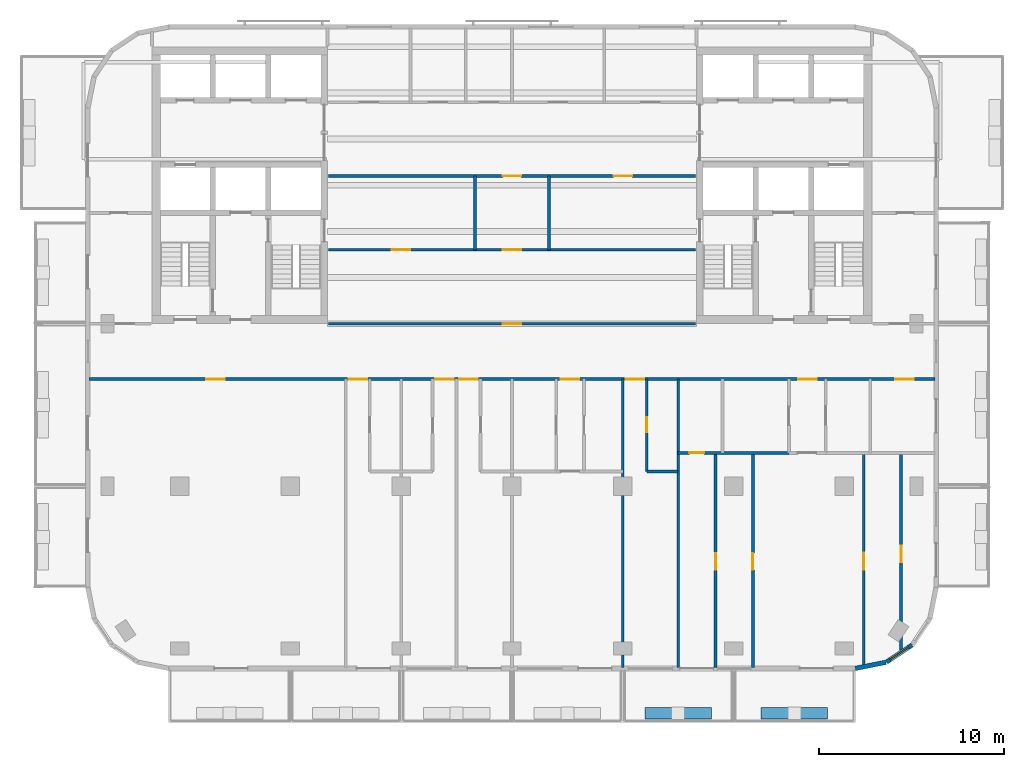
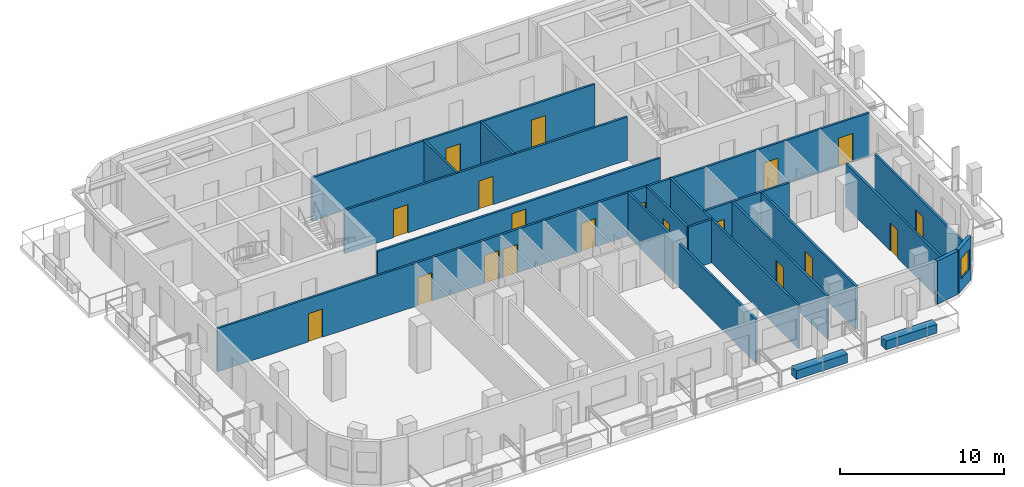
# One storey, part 4 of 11: 19 doors, 19 walls, 1 window, 20 openings.
"""IFC4 building model written with IfcOpenShell, lengths in metres."""

from ifc_helpers import new_model, si_unit, direction, frame, frame_2d, origin, place, context, subcontext, project, spatial, rectangle, extrude, material, layer, layer_set, type_object, element, fill, save


model = new_model("IFC4")

# Units and contexts
model_context = context("Model", 3, precision=1e-05, world=origin(), true_north=direction((0.0, 1.0)))
body_context = subcontext(model_context, "Body", "Model", "MODEL_VIEW")
ifc_project = project(units=[si_unit("LENGTHUNIT", "METRE"), si_unit("AREAUNIT", "SQUARE_METRE"), si_unit("VOLUMEUNIT", "CUBIC_METRE"), si_unit("PLANEANGLEUNIT", "RADIAN"), si_unit("MASSUNIT", "GRAM", prefix="KILO")], contexts=[model_context])

# Site, building, storey
site_placement = place(None, origin())
site = spatial("IfcSite", under=ifc_project, at=site_placement, CompositionType="ELEMENT")
building_placement = place(site_placement, origin())
building = spatial("IfcBuilding", under=site, at=building_placement, Name="Torana Hotel and Residences", CompositionType="ELEMENT")
storey_placement = place(building_placement, frame((0.0, 0.0, 266.60009765625)))
storey = spatial("IfcBuildingStorey", under=building, at=storey_placement, Name="L70", CompositionType="ELEMENT", Elevation=266.60009765625)

# Wall
ifc_material_1 = material(Name="Black aluminium composite panel", Category="aluminium")
ifc_layer_1 = layer(ifc_material_1, 0.00390625, Name="Cladding", Category="cladding")
ifc_material_2 = material(Name="Ventilated air cavity")
ifc_layer_2 = layer(ifc_material_2, 0.0400390625, Name="Ventilated cavity", Category="cavity")
ifc_material_3 = material(Name="Mineral wool insulation")
ifc_layer_3 = layer(ifc_material_3, 0.090087890625, Name="Insulation", Category="insulation")
ifc_material_4 = material(Name="Steel S280GD", Category="steel")
ifc_layer_4 = layer(ifc_material_4, 0.092041015625, Name="Steel stud frame", Category="structure")
ifc_material_5 = material(Name="Fire rated plasterboard")
ifc_layer_5 = layer(ifc_material_5, 0.011962890625, Name="Inner board", Category="finish")
ifc_layer_6 = layer(ifc_material_5, 0.011962890625, Name="Second board", Category="finish")
ifc_layer_set_1 = layer_set([ifc_layer_1, ifc_layer_2, ifc_layer_3, ifc_layer_4, ifc_layer_5, ifc_layer_6], Name="EW1 EXTERNAL WALL BLACK METAL CLAD 250")
wall_type_1 = type_object("IfcWallType", Name="EW1 EXTERNAL WALL BLACK METAL CLAD 250", PredefinedType="SOLIDWALL", material=ifc_layer_set_1)
wall_1_placement = place(storey_placement, frame((18.599853515625, -33.672607421875, 0.0), z_axis=(0.0, 0.0, 1.0), x_axis=(0.980770110232, 0.195166572128, 0.0)))
element("IfcWall", 1, at=wall_1_placement, inside=storey, type_object=wall_type_1, Name="External wall L70 e0.15", PredefinedType="SOLIDWALL", context=body_context, shape_type="SweptSolid", body=[
    extrude(rectangle(XDim=1.68115234375, YDim=0.25, at=frame_2d((0.840576171875, 0.0))), origin(), (0.0, 0.0, 1.0), 3.219970703125),
])

# Wall, opening, window
wall_2_placement = place(storey_placement, frame((20.2939453125, -33.325927734375, 0.0), z_axis=(0.0, 0.0, 1.0), x_axis=(0.831482937015, 0.55555029066, 0.0)))
wall_2 = element("IfcWall", 2, at=wall_2_placement, inside=storey, type_object=wall_type_1, Name="External wall L70 e0.16", PredefinedType="SOLIDWALL", context=body_context, shape_type="SweptSolid", body=[
    extrude(rectangle(XDim=1.65625, YDim=0.25, at=frame_2d((0.828125, 0.0))), origin(), (0.0, 0.0, 1.0), 3.219970703125),
])
opening_1_placement = place(wall_2_placement, frame((0.228271484375, 0.0, 0.89990234375)))
opening_1 = element("IfcOpeningElement", 3, at=opening_1_placement, cuts=wall_2, Name="Opening W5", PredefinedType="OPENING", context=body_context, shape_type="SweptSolid", body=[
    extrude(rectangle(XDim=1.199951171875, YDim=1.5, at=frame_2d((0.60009765625, 0.75))), frame((0.0, 0.135009765625, 0.0), z_axis=(0.0, -1.0, 0.0), x_axis=(1.0, 0.0, 0.0)), (0.0, 0.0, 1.0), 0.27001953125),
])
ifc_material_6 = material(Name="Dark glass in black aluminium frame", Category="aluminium")
window_type = type_object("IfcWindowType", Name="W5 CORNER FACET WINDOW 1200x1500", PartitioningType="SINGLE_PANEL", PredefinedType="WINDOW", material=ifc_material_6)
window_placement = place(opening_1_placement, origin())
window = element("IfcWindow", 4, at=window_placement, inside=storey, type_object=window_type, Name="Window L70 e0.16", OverallHeight=1.5, OverallWidth=1.199951171875, PartitioningType="SINGLE_PANEL", PredefinedType="WINDOW", context=body_context, shape_type="SweptSolid", body=[
    extrude(rectangle(XDim=1.199951171875, YDim=1.5, at=frame_2d((0.60009765625, 0.75))), frame((0.0, 0.030029296875, 0.0), z_axis=(0.0, -1.0, 0.0), x_axis=(1.0, 0.0, 0.0)), (0.0, 0.0, 1.0), 0.06005859375),
])
fill(opening_1, window)

# Walls
ifc_material_7 = material(Name="Gypsum plaster")
ifc_layer_7 = layer(ifc_material_7, 0.014892578125, Name="Plaster", Category="finish")
ifc_material_8 = material(Name="Concrete blockwork", Category="masonry")
ifc_layer_8 = layer(ifc_material_8, 0.1201171875, Name="Blockwork", Category="structure")
ifc_layer_9 = layer(ifc_material_7, 0.014892578125, Name="Plaster", Category="finish")
ifc_layer_set_2 = layer_set([ifc_layer_7, ifc_layer_8, ifc_layer_9], Name="FIRE PARTITION 150 BLOCKWORK")
wall_type_2 = type_object("IfcWallType", Name="FIRE PARTITION 150 BLOCKWORK", PredefinedType="PARTITIONING", material=ifc_layer_set_2)
for number, where, z_axis, x_axis, name in (
    (5, (2.0, -11.0, 0.0), (0.0, 0.0, 1.0), (0.0, 1.0, 0.0), "Partition L70"),
    (6, (-2.0, -11.0, 0.0), (0.0, 0.0, 1.0), (0.0, 1.0, 0.0), "Partition L70"),
):
    element("IfcWall", number, at=place(storey_placement, frame(where, z_axis=z_axis, x_axis=x_axis)), inside=storey, type_object=wall_type_2, Name=name, PredefinedType="PARTITIONING", context=body_context, shape_type="SweptSolid", body=[
        extrude(rectangle(XDim=4.0, YDim=0.14990234375, at=frame_2d((2.0, 0.0))), origin(), (0.0, 0.0, 1.0), 3.219970703125),
    ])

# Wall, openings, doors
wall_3_placement = place(storey_placement, frame((-22.919921875, -18.0, 0.0), z_axis=(0.0, 0.0, 1.0), x_axis=(1.0, 0.0, 0.0)))
wall_3 = element("IfcWall", 7, at=wall_3_placement, inside=storey, type_object=wall_type_2, Name="Partition L70", PredefinedType="PARTITIONING", context=body_context, shape_type="SweptSolid", body=[
    extrude(rectangle(XDim=45.83984375, YDim=0.14990234375, at=frame_2d((22.919921875, 0.0))), origin(), (0.0, 0.0, 1.0), 3.219970703125),
])
opening_2_placement = place(wall_3_placement, frame((14.070068359375, 0.0, 0.0)))
opening_2 = element("IfcOpeningElement", 8, at=opening_2_placement, cuts=wall_3, Name="Opening L70-18", PredefinedType="OPENING", context=body_context, shape_type="SweptSolid", body=[
    extrude(rectangle(XDim=1.0, YDim=2.10009765625, at=frame_2d((0.5, 1.050048828125))), frame((0.0, 0.0849609375, 0.0), z_axis=(0.0, -1.0, 0.0), x_axis=(1.0, 0.0, 0.0)), (0.0, 0.0, 1.0), 0.169921875),
])
opening_3_placement = place(wall_3_placement, frame((18.77001953125, 0.0, 0.0)))
opening_3 = element("IfcOpeningElement", 9, at=opening_3_placement, cuts=wall_3, Name="Opening L70-19", PredefinedType="OPENING", context=body_context, shape_type="SweptSolid", body=[
    extrude(rectangle(XDim=1.0, YDim=2.10009765625, at=frame_2d((0.5, 1.050048828125))), frame((0.0, 0.0849609375, 0.0), z_axis=(0.0, -1.0, 0.0), x_axis=(1.0, 0.0, 0.0)), (0.0, 0.0, 1.0), 0.169921875),
])
opening_4_placement = place(wall_3_placement, frame((20.070068359375, 0.0, 0.0)))
opening_4 = element("IfcOpeningElement", 10, at=opening_4_placement, cuts=wall_3, Name="Opening L70-20", PredefinedType="OPENING", context=body_context, shape_type="SweptSolid", body=[
    extrude(rectangle(XDim=1.0, YDim=2.10009765625, at=frame_2d((0.5, 1.050048828125))), frame((0.0, 0.0849609375, 0.0), z_axis=(0.0, -1.0, 0.0), x_axis=(1.0, 0.0, 0.0)), (0.0, 0.0, 1.0), 0.169921875),
])
opening_5_placement = place(wall_3_placement, frame((25.570068359375, 0.0, 0.0)))
opening_5 = element("IfcOpeningElement", 11, at=opening_5_placement, cuts=wall_3, Name="Opening L70-21", PredefinedType="OPENING", context=body_context, shape_type="SweptSolid", body=[
    extrude(rectangle(XDim=1.0, YDim=2.10009765625, at=frame_2d((0.5, 1.050048828125))), frame((0.0, 0.0849609375, 0.0), z_axis=(0.0, -1.0, 0.0), x_axis=(1.0, 0.0, 0.0)), (0.0, 0.0, 1.0), 0.169921875),
])
opening_6_placement = place(wall_3_placement, frame((29.070068359375, 0.0, 0.0)))
opening_6 = element("IfcOpeningElement", 12, at=opening_6_placement, cuts=wall_3, Name="Opening L70-22", PredefinedType="OPENING", context=body_context, shape_type="SweptSolid", body=[
    extrude(rectangle(XDim=1.0, YDim=2.10009765625, at=frame_2d((0.5, 1.050048828125))), frame((0.0, 0.0849609375, 0.0), z_axis=(0.0, -1.0, 0.0), x_axis=(1.0, 0.0, 0.0)), (0.0, 0.0, 1.0), 0.169921875),
])
opening_7_placement = place(wall_3_placement, frame((6.3701171875, 0.0, 0.0)))
opening_7 = element("IfcOpeningElement", 13, at=opening_7_placement, cuts=wall_3, Name="Opening L70-23", PredefinedType="OPENING", context=body_context, shape_type="SweptSolid", body=[
    extrude(rectangle(XDim=1.0, YDim=2.10009765625, at=frame_2d((0.5, 1.050048828125))), frame((0.0, 0.0849609375, 0.0), z_axis=(0.0, -1.0, 0.0), x_axis=(1.0, 0.0, 0.0)), (0.0, 0.0, 1.0), 0.169921875),
])
opening_8_placement = place(wall_3_placement, frame((38.419921875, 0.0, 0.0)))
opening_8 = element("IfcOpeningElement", 14, at=opening_8_placement, cuts=wall_3, Name="Opening L70-24", PredefinedType="OPENING", context=body_context, shape_type="SweptSolid", body=[
    extrude(rectangle(XDim=1.0, YDim=2.10009765625, at=frame_2d((0.5, 1.050048828125))), frame((0.0, 0.0849609375, 0.0), z_axis=(0.0, -1.0, 0.0), x_axis=(1.0, 0.0, 0.0)), (0.0, 0.0, 1.0), 0.169921875),
])
opening_9_placement = place(wall_3_placement, frame((43.669921875, 0.0, 0.0)))
opening_9 = element("IfcOpeningElement", 15, at=opening_9_placement, cuts=wall_3, Name="Opening L70-25", PredefinedType="OPENING", context=body_context, shape_type="SweptSolid", body=[
    extrude(rectangle(XDim=1.0, YDim=2.10009765625, at=frame_2d((0.5, 1.050048828125))), frame((0.0, 0.0849609375, 0.0), z_axis=(0.0, -1.0, 0.0), x_axis=(1.0, 0.0, 0.0)), (0.0, 0.0, 1.0), 0.169921875),
])
ifc_material_9 = material(Name="Steel S235", Category="steel")
door_type_1 = type_object("IfcDoorType", Name="ENTRY FIRE DOOR D6 1000x2100", OperationType="SINGLE_SWING_LEFT", PredefinedType="DOOR", material=ifc_material_9)
door_1_placement = place(opening_2_placement, frame((0.5, 0.0, 0.0), z_axis=(0.0, 0.0, 1.0), x_axis=(-1.0, 0.0, 0.0)))
door_1 = element("IfcDoor", 16, at=door_1_placement, inside=storey, type_object=door_type_1, Name="Door L70", OperationType="SINGLE_SWING_LEFT", OverallHeight=2.10009765625, OverallWidth=1.0, PredefinedType="DOOR", context=body_context, shape_type="SweptSolid", body=[
    extrude(rectangle(XDim=1.0, YDim=2.10009765625, at=frame_2d((0.0, 1.050048828125))), frame((0.0, -0.02490234375, 0.0), z_axis=(0.0, 1.0, 0.0), x_axis=(-1.0, 0.0, 0.0)), (0.0, 0.0, 1.0), 0.050048828125),
])
fill(opening_2, door_1)
door_2_placement = place(opening_3_placement, frame((0.5, 0.0, 0.0), z_axis=(0.0, 0.0, 1.0), x_axis=(-1.0, 0.0, 0.0)))
door_2 = element("IfcDoor", 17, at=door_2_placement, inside=storey, type_object=door_type_1, Name="Door L70", OperationType="SINGLE_SWING_LEFT", OverallHeight=2.10009765625, OverallWidth=1.0, PredefinedType="DOOR", context=body_context, shape_type="SweptSolid", body=[
    extrude(rectangle(XDim=1.0, YDim=2.10009765625, at=frame_2d((0.0, 1.050048828125))), frame((0.0, -0.02490234375, 0.0), z_axis=(0.0, 1.0, 0.0), x_axis=(-1.0, 0.0, 0.0)), (0.0, 0.0, 1.0), 0.050048828125),
])
fill(opening_3, door_2)
door_3_placement = place(opening_4_placement, frame((0.5, 0.0, 0.0), z_axis=(0.0, 0.0, 1.0), x_axis=(-1.0, 0.0, 0.0)))
door_3 = element("IfcDoor", 18, at=door_3_placement, inside=storey, type_object=door_type_1, Name="Door L70", OperationType="SINGLE_SWING_LEFT", OverallHeight=2.10009765625, OverallWidth=1.0, PredefinedType="DOOR", context=body_context, shape_type="SweptSolid", body=[
    extrude(rectangle(XDim=1.0, YDim=2.10009765625, at=frame_2d((0.0, 1.050048828125))), frame((0.0, -0.02490234375, 0.0), z_axis=(0.0, 1.0, 0.0), x_axis=(-1.0, 0.0, 0.0)), (0.0, 0.0, 1.0), 0.050048828125),
])
fill(opening_4, door_3)
door_4_placement = place(opening_5_placement, origin())
door_4 = element("IfcDoor", 19, at=door_4_placement, inside=storey, type_object=door_type_1, Name="Door L70", OperationType="SINGLE_SWING_RIGHT", OverallHeight=2.10009765625, OverallWidth=1.0, PredefinedType="DOOR", context=body_context, shape_type="SweptSolid", body=[
    extrude(rectangle(XDim=1.0, YDim=2.10009765625, at=frame_2d((0.5, 1.050048828125))), frame((0.0, 0.02490234375, 0.0), z_axis=(0.0, -1.0, 0.0), x_axis=(1.0, 0.0, 0.0)), (0.0, 0.0, 1.0), 0.050048828125),
])
fill(opening_5, door_4)
door_5_placement = place(opening_6_placement, frame((0.5, 0.0, 0.0), z_axis=(0.0, 0.0, 1.0), x_axis=(-1.0, 0.0, 0.0)))
door_5 = element("IfcDoor", 20, at=door_5_placement, inside=storey, type_object=door_type_1, Name="Door L70", OperationType="SINGLE_SWING_LEFT", OverallHeight=2.10009765625, OverallWidth=1.0, PredefinedType="DOOR", context=body_context, shape_type="SweptSolid", body=[
    extrude(rectangle(XDim=1.0, YDim=2.10009765625, at=frame_2d((0.0, 1.050048828125))), frame((0.0, -0.02490234375, 0.0), z_axis=(0.0, 1.0, 0.0), x_axis=(-1.0, 0.0, 0.0)), (0.0, 0.0, 1.0), 0.050048828125),
])
fill(opening_6, door_5)
door_6_placement = place(opening_7_placement, frame((0.5, 0.0, 0.0), z_axis=(0.0, 0.0, 1.0), x_axis=(-1.0, 0.0, 0.0)))
door_6 = element("IfcDoor", 21, at=door_6_placement, inside=storey, type_object=door_type_1, Name="Door L70", OperationType="SINGLE_SWING_LEFT", OverallHeight=2.10009765625, OverallWidth=1.0, PredefinedType="DOOR", context=body_context, shape_type="SweptSolid", body=[
    extrude(rectangle(XDim=1.0, YDim=2.10009765625, at=frame_2d((0.0, 1.050048828125))), frame((0.0, -0.02490234375, 0.0), z_axis=(0.0, 1.0, 0.0), x_axis=(-1.0, 0.0, 0.0)), (0.0, 0.0, 1.0), 0.050048828125),
])
fill(opening_7, door_6)
door_7_placement = place(opening_8_placement, origin())
door_7 = element("IfcDoor", 22, at=door_7_placement, inside=storey, type_object=door_type_1, Name="Door L70", OperationType="SINGLE_SWING_RIGHT", OverallHeight=2.10009765625, OverallWidth=1.0, PredefinedType="DOOR", context=body_context, shape_type="SweptSolid", body=[
    extrude(rectangle(XDim=1.0, YDim=2.10009765625, at=frame_2d((0.5, 1.050048828125))), frame((0.0, 0.02490234375, 0.0), z_axis=(0.0, -1.0, 0.0), x_axis=(1.0, 0.0, 0.0)), (0.0, 0.0, 1.0), 0.050048828125),
])
fill(opening_8, door_7)
door_8_placement = place(opening_9_placement, frame((0.5, 0.0, 0.0), z_axis=(0.0, 0.0, 1.0), x_axis=(-1.0, 0.0, 0.0)))
door_8 = element("IfcDoor", 23, at=door_8_placement, inside=storey, type_object=door_type_1, Name="Door L70", OperationType="SINGLE_SWING_RIGHT", OverallHeight=2.10009765625, OverallWidth=1.0, PredefinedType="DOOR", context=body_context, shape_type="SweptSolid", body=[
    extrude(rectangle(XDim=1.0, YDim=2.10009765625, at=frame_2d((0.0, 1.050048828125))), frame((0.0, -0.02490234375, 0.0), z_axis=(0.0, 1.0, 0.0), x_axis=(-1.0, 0.0, 0.0)), (0.0, 0.0, 1.0), 0.050048828125),
])
fill(opening_9, door_8)

# Wall, opening, door
wall_4_placement = place(storey_placement, frame((-9.949951171875, -15.0, 0.0), z_axis=(0.0, 0.0, 1.0), x_axis=(1.0, 0.0, 0.0)))
wall_4 = element("IfcWall", 24, at=wall_4_placement, inside=storey, type_object=wall_type_2, Name="Partition L70", PredefinedType="PARTITIONING", context=body_context, shape_type="SweptSolid", body=[
    extrude(rectangle(XDim=19.89990234375, YDim=0.14990234375, at=frame_2d((9.949951171875, 0.0))), origin(), (0.0, 0.0, 1.0), 2.583984375),
])
opening_10_placement = place(wall_4_placement, frame((9.449951171875, 0.0, 0.0)))
opening_10 = element("IfcOpeningElement", 25, at=opening_10_placement, cuts=wall_4, Name="Opening L70-17", PredefinedType="OPENING", context=body_context, shape_type="SweptSolid", body=[
    extrude(rectangle(XDim=1.0, YDim=2.10009765625, at=frame_2d((0.5, 1.050048828125))), frame((0.0, 0.0849609375, 0.0), z_axis=(0.0, -1.0, 0.0), x_axis=(1.0, 0.0, 0.0)), (0.0, 0.0, 1.0), 0.169921875),
])
door_9_placement = place(opening_10_placement, origin())
door_9 = element("IfcDoor", 26, at=door_9_placement, inside=storey, type_object=door_type_1, Name="Door L70", OperationType="SINGLE_SWING_RIGHT", OverallHeight=2.10009765625, OverallWidth=1.0, PredefinedType="DOOR", context=body_context, shape_type="SweptSolid", body=[
    extrude(rectangle(XDim=1.0, YDim=2.10009765625, at=frame_2d((0.5, 1.050048828125))), frame((0.0, 0.02490234375, 0.0), z_axis=(0.0, -1.0, 0.0), x_axis=(1.0, 0.0, 0.0)), (0.0, 0.0, 1.0), 0.050048828125),
])
fill(opening_10, door_9)

# Wall, openings, doors
wall_5_placement = place(storey_placement, frame((-9.949951171875, -11.0, 0.0), z_axis=(0.0, 0.0, 1.0), x_axis=(1.0, 0.0, 0.0)))
wall_5 = element("IfcWall", 27, at=wall_5_placement, inside=storey, type_object=wall_type_2, Name="Partition L70", PredefinedType="PARTITIONING", context=body_context, shape_type="SweptSolid", body=[
    extrude(rectangle(XDim=19.89990234375, YDim=0.14990234375, at=frame_2d((9.949951171875, 0.0))), origin(), (0.0, 0.0, 1.0), 3.219970703125),
])
opening_11_placement = place(wall_5_placement, frame((9.449951171875, 0.0, 0.0)))
opening_11 = element("IfcOpeningElement", 28, at=opening_11_placement, cuts=wall_5, Name="Opening L70-28", PredefinedType="OPENING", context=body_context, shape_type="SweptSolid", body=[
    extrude(rectangle(XDim=1.0, YDim=2.10009765625, at=frame_2d((0.5, 1.050048828125))), frame((0.0, 0.0849609375, 0.0), z_axis=(0.0, -1.0, 0.0), x_axis=(1.0, 0.0, 0.0)), (0.0, 0.0, 1.0), 0.169921875),
])
opening_12_placement = place(wall_5_placement, frame((3.449951171875, 0.0, 0.0)))
opening_12 = element("IfcOpeningElement", 29, at=opening_12_placement, cuts=wall_5, Name="Opening L70-29", PredefinedType="OPENING", context=body_context, shape_type="SweptSolid", body=[
    extrude(rectangle(XDim=1.0, YDim=2.10009765625, at=frame_2d((0.5, 1.050048828125))), frame((0.0, 0.0849609375, 0.0), z_axis=(0.0, -1.0, 0.0), x_axis=(1.0, 0.0, 0.0)), (0.0, 0.0, 1.0), 0.169921875),
])
door_10_placement = place(opening_11_placement, origin())
door_10 = element("IfcDoor", 30, at=door_10_placement, inside=storey, type_object=door_type_1, Name="Door L70", OperationType="SINGLE_SWING_RIGHT", OverallHeight=2.10009765625, OverallWidth=1.0, PredefinedType="DOOR", context=body_context, shape_type="SweptSolid", body=[
    extrude(rectangle(XDim=1.0, YDim=2.10009765625, at=frame_2d((0.5, 1.050048828125))), frame((0.0, 0.02490234375, 0.0), z_axis=(0.0, -1.0, 0.0), x_axis=(1.0, 0.0, 0.0)), (0.0, 0.0, 1.0), 0.050048828125),
])
fill(opening_11, door_10)
door_11_placement = place(opening_12_placement, origin())
door_11 = element("IfcDoor", 31, at=door_11_placement, inside=storey, type_object=door_type_1, Name="Door L70", OperationType="SINGLE_SWING_RIGHT", OverallHeight=2.10009765625, OverallWidth=1.0, PredefinedType="DOOR", context=body_context, shape_type="SweptSolid", body=[
    extrude(rectangle(XDim=1.0, YDim=2.10009765625, at=frame_2d((0.5, 1.050048828125))), frame((0.0, 0.02490234375, 0.0), z_axis=(0.0, -1.0, 0.0), x_axis=(1.0, 0.0, 0.0)), (0.0, 0.0, 1.0), 0.050048828125),
])
fill(opening_12, door_11)

wall_6_placement = place(storey_placement, frame((-9.949951171875, -7.0, 0.0), z_axis=(0.0, 0.0, 1.0), x_axis=(1.0, 0.0, 0.0)))
wall_6 = element("IfcWall", 32, at=wall_6_placement, inside=storey, type_object=wall_type_2, Name="Partition L70", PredefinedType="PARTITIONING", context=body_context, shape_type="SweptSolid", body=[
    extrude(rectangle(XDim=19.89990234375, YDim=0.14990234375, at=frame_2d((9.949951171875, 0.0))), origin(), (0.0, 0.0, 1.0), 3.219970703125),
])
opening_13_placement = place(wall_6_placement, frame((9.449951171875, 0.0, 0.0)))
opening_13 = element("IfcOpeningElement", 33, at=opening_13_placement, cuts=wall_6, Name="Opening L70-30", PredefinedType="OPENING", context=body_context, shape_type="SweptSolid", body=[
    extrude(rectangle(XDim=1.0, YDim=2.10009765625, at=frame_2d((0.5, 1.050048828125))), frame((0.0, 0.0849609375, 0.0), z_axis=(0.0, -1.0, 0.0), x_axis=(1.0, 0.0, 0.0)), (0.0, 0.0, 1.0), 0.169921875),
])
opening_14_placement = place(wall_6_placement, frame((15.449951171875, 0.0, 0.0)))
opening_14 = element("IfcOpeningElement", 34, at=opening_14_placement, cuts=wall_6, Name="Opening L70-31", PredefinedType="OPENING", context=body_context, shape_type="SweptSolid", body=[
    extrude(rectangle(XDim=1.0, YDim=2.10009765625, at=frame_2d((0.5, 1.050048828125))), frame((0.0, 0.0849609375, 0.0), z_axis=(0.0, -1.0, 0.0), x_axis=(1.0, 0.0, 0.0)), (0.0, 0.0, 1.0), 0.169921875),
])
door_12_placement = place(opening_13_placement, origin())
door_12 = element("IfcDoor", 35, at=door_12_placement, inside=storey, type_object=door_type_1, Name="Door L70", OperationType="SINGLE_SWING_RIGHT", OverallHeight=2.10009765625, OverallWidth=1.0, PredefinedType="DOOR", context=body_context, shape_type="SweptSolid", body=[
    extrude(rectangle(XDim=1.0, YDim=2.10009765625, at=frame_2d((0.5, 1.050048828125))), frame((0.0, 0.02490234375, 0.0), z_axis=(0.0, -1.0, 0.0), x_axis=(1.0, 0.0, 0.0)), (0.0, 0.0, 1.0), 0.050048828125),
])
fill(opening_13, door_12)
door_13_placement = place(opening_14_placement, frame((0.5, 0.0, 0.0), z_axis=(0.0, 0.0, 1.0), x_axis=(-1.0, 0.0, 0.0)))
door_13 = element("IfcDoor", 36, at=door_13_placement, inside=storey, type_object=door_type_1, Name="Door L70", OperationType="SINGLE_SWING_LEFT", OverallHeight=2.10009765625, OverallWidth=1.0, PredefinedType="DOOR", context=body_context, shape_type="SweptSolid", body=[
    extrude(rectangle(XDim=1.0, YDim=2.10009765625, at=frame_2d((0.0, 1.050048828125))), frame((0.0, -0.02490234375, 0.0), z_axis=(0.0, 1.0, 0.0), x_axis=(-1.0, 0.0, 0.0)), (0.0, 0.0, 1.0), 0.050048828125),
])
fill(opening_14, door_13)

# Wall, opening, door
ifc_material_10 = material(Name="Gypsum plasterboard")
ifc_layer_10 = layer(ifc_material_10, 0.012451171875, Name="Plasterboard", Category="finish")
ifc_layer_11 = layer(ifc_material_10, 0.012451171875, Name="Plasterboard", Category="finish")
ifc_layer_12 = layer(ifc_material_4, 0.10009765625, Name="Steel studs with mineral wool", Category="insulation")
ifc_layer_13 = layer(ifc_material_10, 0.012451171875, Name="Plasterboard", Category="finish")
ifc_layer_14 = layer(ifc_material_10, 0.012451171875, Name="Plasterboard", Category="finish")
ifc_layer_set_3 = layer_set([ifc_layer_10, ifc_layer_11, ifc_layer_12, ifc_layer_13, ifc_layer_14], Name="PARTITION 150 PLASTERBOARD")
wall_type_3 = type_object("IfcWallType", Name="PARTITION 150 PLASTERBOARD", PredefinedType="PARTITIONING", material=ifc_layer_set_3)
wall_7_placement = place(storey_placement, frame((21.074951171875, -32.665771484375, 0.0), z_axis=(0.0, 0.0, 1.0), x_axis=(0.0, 1.0, 0.0)))
wall_7 = element("IfcWall", 37, at=wall_7_placement, inside=storey, type_object=wall_type_3, Name="Partition L70", PredefinedType="PARTITIONING", context=body_context, shape_type="SweptSolid", body=[
    extrude(rectangle(XDim=10.665771484375, YDim=0.14990234375, at=frame_2d((5.3330078125, 0.0))), origin(), (0.0, 0.0, 1.0), 3.219970703125),
])
opening_15_placement = place(wall_7_placement, frame((4.745849609375, 0.0, 0.0)))
opening_15 = element("IfcOpeningElement", 38, at=opening_15_placement, cuts=wall_7, Name="Opening L70-51", PredefinedType="OPENING", context=body_context, shape_type="SweptSolid", body=[
    extrude(rectangle(XDim=0.89990234375, YDim=2.10009765625, at=frame_2d((0.449951171875, 1.050048828125))), frame((0.0, 0.0849609375, 0.0), z_axis=(0.0, -1.0, 0.0), x_axis=(1.0, 0.0, 0.0)), (0.0, 0.0, 1.0), 0.169921875),
])
ifc_material_11 = material(Name="Timber door, oiled ash", Category="wood")
door_type_2 = type_object("IfcDoorType", Name="ROOM DOOR D7 900x2100", OperationType="SINGLE_SWING_LEFT", PredefinedType="DOOR", material=ifc_material_11)
door_14_placement = place(opening_15_placement, origin())
door_14 = element("IfcDoor", 39, at=door_14_placement, inside=storey, type_object=door_type_2, Name="Door L70", OperationType="SINGLE_SWING_RIGHT", OverallHeight=2.10009765625, OverallWidth=0.89990234375, PredefinedType="DOOR", context=body_context, shape_type="SweptSolid", body=[
    extrude(rectangle(XDim=0.89990234375, YDim=2.10009765625, at=frame_2d((0.449951171875, 1.050048828125))), frame((0.0, 0.02490234375, 0.0), z_axis=(0.0, -1.0, 0.0), x_axis=(1.0, 0.0, 0.0)), (0.0, 0.0, 1.0), 0.050048828125),
])
fill(opening_15, door_14)

wall_8_placement = place(storey_placement, frame((19.050048828125, -33.527099609375, 0.0), z_axis=(0.0, 0.0, 1.0), x_axis=(0.0, 1.0, 0.0)))
wall_8 = element("IfcWall", 40, at=wall_8_placement, inside=storey, type_object=wall_type_3, Name="Partition L70", PredefinedType="PARTITIONING", context=body_context, shape_type="SweptSolid", body=[
    extrude(rectangle(XDim=11.527099609375, YDim=0.14990234375, at=frame_2d((5.763671875, 0.0))), origin(), (0.0, 0.0, 1.0), 3.219970703125),
])
opening_16_placement = place(wall_8_placement, frame((5.20703125, 0.0, 0.0)))
opening_16 = element("IfcOpeningElement", 41, at=opening_16_placement, cuts=wall_8, Name="Opening L70-49", PredefinedType="OPENING", context=body_context, shape_type="SweptSolid", body=[
    extrude(rectangle(XDim=0.89990234375, YDim=2.10009765625, at=frame_2d((0.449951171875, 1.050048828125))), frame((0.0, 0.0849609375, 0.0), z_axis=(0.0, -1.0, 0.0), x_axis=(1.0, 0.0, 0.0)), (0.0, 0.0, 1.0), 0.169921875),
])
door_15_placement = place(opening_16_placement, origin())
door_15 = element("IfcDoor", 42, at=door_15_placement, inside=storey, type_object=door_type_2, Name="Door L70", OperationType="SINGLE_SWING_RIGHT", OverallHeight=2.10009765625, OverallWidth=0.89990234375, PredefinedType="DOOR", context=body_context, shape_type="SweptSolid", body=[
    extrude(rectangle(XDim=0.89990234375, YDim=2.10009765625, at=frame_2d((0.449951171875, 1.050048828125))), frame((0.0, 0.02490234375, 0.0), z_axis=(0.0, -1.0, 0.0), x_axis=(1.0, 0.0, 0.0)), (0.0, 0.0, 1.0), 0.050048828125),
])
fill(opening_16, door_15)

wall_9_placement = place(storey_placement, frame((13.050048828125, -33.6201171875, 0.0), z_axis=(0.0, 0.0, 1.0), x_axis=(0.0, 1.0, 0.0)))
wall_9 = element("IfcWall", 43, at=wall_9_placement, inside=storey, type_object=wall_type_3, Name="Partition L70", PredefinedType="PARTITIONING", context=body_context, shape_type="SweptSolid", body=[
    extrude(rectangle(XDim=11.6201171875, YDim=0.14990234375, at=frame_2d((5.81005859375, 0.0))), origin(), (0.0, 0.0, 1.0), 3.219970703125),
])
opening_17_placement = place(wall_9_placement, frame((5.2900390625, 0.0, 0.0)))
opening_17 = element("IfcOpeningElement", 44, at=opening_17_placement, cuts=wall_9, Name="Opening L70-48", PredefinedType="OPENING", context=body_context, shape_type="SweptSolid", body=[
    extrude(rectangle(XDim=0.89990234375, YDim=2.10009765625, at=frame_2d((0.449951171875, 1.050048828125))), frame((0.0, 0.0849609375, 0.0), z_axis=(0.0, -1.0, 0.0), x_axis=(1.0, 0.0, 0.0)), (0.0, 0.0, 1.0), 0.169921875),
])
door_16_placement = place(opening_17_placement, origin())
door_16 = element("IfcDoor", 45, at=door_16_placement, inside=storey, type_object=door_type_2, Name="Door L70", OperationType="SINGLE_SWING_RIGHT", OverallHeight=2.10009765625, OverallWidth=0.89990234375, PredefinedType="DOOR", context=body_context, shape_type="SweptSolid", body=[
    extrude(rectangle(XDim=0.89990234375, YDim=2.10009765625, at=frame_2d((0.449951171875, 1.050048828125))), frame((0.0, 0.02490234375, 0.0), z_axis=(0.0, -1.0, 0.0), x_axis=(1.0, 0.0, 0.0)), (0.0, 0.0, 1.0), 0.050048828125),
])
fill(opening_17, door_16)

wall_10_placement = place(storey_placement, frame((11.02490234375, -33.6201171875, 0.0), z_axis=(0.0, 0.0, 1.0), x_axis=(0.0, 1.0, 0.0)))
wall_10 = element("IfcWall", 46, at=wall_10_placement, inside=storey, type_object=wall_type_3, Name="Partition L70", PredefinedType="PARTITIONING", context=body_context, shape_type="SweptSolid", body=[
    extrude(rectangle(XDim=11.6201171875, YDim=0.14990234375, at=frame_2d((5.81005859375, 0.0))), origin(), (0.0, 0.0, 1.0), 3.219970703125),
])
opening_18_placement = place(wall_10_placement, frame((5.2900390625, 0.0, 0.0)))
opening_18 = element("IfcOpeningElement", 47, at=opening_18_placement, cuts=wall_10, Name="Opening L70-50", PredefinedType="OPENING", context=body_context, shape_type="SweptSolid", body=[
    extrude(rectangle(XDim=0.89990234375, YDim=2.10009765625, at=frame_2d((0.449951171875, 1.050048828125))), frame((0.0, 0.0849609375, 0.0), z_axis=(0.0, -1.0, 0.0), x_axis=(1.0, 0.0, 0.0)), (0.0, 0.0, 1.0), 0.169921875),
])
door_17_placement = place(opening_18_placement, origin())
door_17 = element("IfcDoor", 48, at=door_17_placement, inside=storey, type_object=door_type_2, Name="Door L70", OperationType="SINGLE_SWING_RIGHT", OverallHeight=2.10009765625, OverallWidth=0.89990234375, PredefinedType="DOOR", context=body_context, shape_type="SweptSolid", body=[
    extrude(rectangle(XDim=0.89990234375, YDim=2.10009765625, at=frame_2d((0.449951171875, 1.050048828125))), frame((0.0, 0.02490234375, 0.0), z_axis=(0.0, -1.0, 0.0), x_axis=(1.0, 0.0, 0.0)), (0.0, 0.0, 1.0), 0.050048828125),
])
fill(opening_18, door_17)

# Wall
wall_11_placement = place(storey_placement, frame((9.0, -33.6201171875, 0.0), z_axis=(0.0, 0.0, 1.0), x_axis=(0.0, 1.0, 0.0)))
element("IfcWall", 49, at=wall_11_placement, inside=storey, type_object=wall_type_3, Name="Partition L70", PredefinedType="PARTITIONING", context=body_context, shape_type="SweptSolid", body=[
    extrude(rectangle(XDim=15.6201171875, YDim=0.14990234375, at=frame_2d((7.81005859375, 0.0))), origin(), (0.0, 0.0, 1.0), 3.219970703125),
])

# Wall, opening, door
wall_12_placement = place(storey_placement, frame((7.300048828125, -23.0, 0.0), z_axis=(0.0, 0.0, 1.0), x_axis=(0.0, 1.0, 0.0)))
wall_12 = element("IfcWall", 50, at=wall_12_placement, inside=storey, type_object=wall_type_3, Name="Partition L70", PredefinedType="PARTITIONING", context=body_context, shape_type="SweptSolid", body=[
    extrude(rectangle(XDim=5.0, YDim=0.14990234375, at=frame_2d((2.5, 0.0))), origin(), (0.0, 0.0, 1.0), 3.219970703125),
])
opening_19_placement = place(wall_12_placement, frame((2.1201171875, 0.0, 0.0)))
opening_19 = element("IfcOpeningElement", 51, at=opening_19_placement, cuts=wall_12, Name="Opening L70-43", PredefinedType="OPENING", context=body_context, shape_type="SweptSolid", body=[
    extrude(rectangle(XDim=0.800048828125, YDim=2.10009765625, at=frame_2d((0.39990234375, 1.050048828125))), frame((0.0, 0.0849609375, 0.0), z_axis=(0.0, -1.0, 0.0), x_axis=(1.0, 0.0, 0.0)), (0.0, 0.0, 1.0), 0.169921875),
])
ifc_material_12 = material(Name="Timber door, painted", Category="wood")
door_type_3 = type_object("IfcDoorType", Name="BATH DOOR D13 800x2100", OperationType="SINGLE_SWING_LEFT", PredefinedType="DOOR", material=ifc_material_12)
door_18_placement = place(opening_19_placement, origin())
door_18 = element("IfcDoor", 52, at=door_18_placement, inside=storey, type_object=door_type_3, Name="Door L70", OperationType="SINGLE_SWING_RIGHT", OverallHeight=2.10009765625, OverallWidth=0.800048828125, PredefinedType="DOOR", context=body_context, shape_type="SweptSolid", body=[
    extrude(rectangle(XDim=0.800048828125, YDim=2.10009765625, at=frame_2d((0.39990234375, 1.050048828125))), frame((0.0, 0.02490234375, 0.0), z_axis=(0.0, -1.0, 0.0), x_axis=(1.0, 0.0, 0.0)), (0.0, 0.0, 1.0), 0.050048828125),
])
fill(opening_19, door_18)

# Walls
wall_13_placement = place(storey_placement, frame((6.0, -33.6201171875, 0.0), z_axis=(0.0, 0.0, 1.0), x_axis=(0.0, 1.0, 0.0)))
element("IfcWall", 53, at=wall_13_placement, inside=storey, type_object=wall_type_3, Name="Partition L70", PredefinedType="PARTITIONING", context=body_context, shape_type="SweptSolid", body=[
    extrude(rectangle(XDim=15.6201171875, YDim=0.14990234375, at=frame_2d((7.81005859375, 0.0))), origin(), (0.0, 0.0, 1.0), 3.219970703125),
])
wall_14_placement = place(storey_placement, frame((7.300048828125, -23.0, 0.0), z_axis=(0.0, 0.0, 1.0), x_axis=(1.0, 0.0, 0.0)))
element("IfcWall", 54, at=wall_14_placement, inside=storey, type_object=wall_type_3, Name="Partition L70", PredefinedType="PARTITIONING", context=body_context, shape_type="SweptSolid", body=[
    extrude(rectangle(XDim=1.699951171875, YDim=0.14990234375, at=frame_2d((0.85009765625, 0.0))), origin(), (0.0, 0.0, 1.0), 3.219970703125),
])

# Wall, opening, door
wall_15_placement = place(storey_placement, frame((9.0, -22.0, 0.0), z_axis=(0.0, 0.0, 1.0), x_axis=(1.0, 0.0, 0.0)))
wall_15 = element("IfcWall", 55, at=wall_15_placement, inside=storey, type_object=wall_type_3, Name="Partition L70", PredefinedType="PARTITIONING", context=body_context, shape_type="SweptSolid", body=[
    extrude(rectangle(XDim=6.0, YDim=0.14990234375, at=frame_2d((3.0, 0.0))), origin(), (0.0, 0.0, 1.0), 3.219970703125),
])
opening_20_placement = place(wall_15_placement, frame((0.60498046875, 0.0, 0.0)))
opening_20 = element("IfcOpeningElement", 56, at=opening_20_placement, cuts=wall_15, Name="Opening L70-44", PredefinedType="OPENING", context=body_context, shape_type="SweptSolid", body=[
    extrude(rectangle(XDim=0.800048828125, YDim=2.10009765625, at=frame_2d((0.39990234375, 1.050048828125))), frame((0.0, 0.0849609375, 0.0), z_axis=(0.0, -1.0, 0.0), x_axis=(1.0, 0.0, 0.0)), (0.0, 0.0, 1.0), 0.169921875),
])
door_19_placement = place(opening_20_placement, origin())
door_19 = element("IfcDoor", 57, at=door_19_placement, inside=storey, type_object=door_type_3, Name="Door L70", OperationType="SINGLE_SWING_RIGHT", OverallHeight=2.10009765625, OverallWidth=0.800048828125, PredefinedType="DOOR", context=body_context, shape_type="SweptSolid", body=[
    extrude(rectangle(XDim=0.800048828125, YDim=2.10009765625, at=frame_2d((0.39990234375, 1.050048828125))), frame((0.0, 0.02490234375, 0.0), z_axis=(0.0, -1.0, 0.0), x_axis=(1.0, 0.0, 0.0)), (0.0, 0.0, 1.0), 0.050048828125),
])
fill(opening_20, door_19)

# Walls
ifc_material_13 = material(Name="Concrete C40/50 precast", Category="concrete")
ifc_layer_15 = layer(ifc_material_13, 0.10009765625, Name="Planter shell", Category="structure")
ifc_material_14 = material(Name="Root resistant membrane")
ifc_layer_16 = layer(ifc_material_14, 0.00390625, Name="Waterproofing membrane", Category="membrane")
ifc_material_15 = material(Name="Drainage board with filter fleece")
ifc_layer_17 = layer(ifc_material_15, 0.02001953125, Name="Drainage board", Category="drainage")
ifc_material_16 = material(Name="Growing medium")
ifc_layer_18 = layer(ifc_material_16, 0.47607421875, Name="Planting substrate", Category="soil")
ifc_layer_set_4 = layer_set([ifc_layer_15, ifc_layer_16, ifc_layer_17, ifc_layer_18], Name="PL1 BALCONY PLANTER 600")
wall_type_4 = type_object("IfcWallType", Name="PL1 BALCONY PLANTER 600", PredefinedType="USERDEFINED", material=ifc_layer_set_4)
for number, where, z_axis, x_axis, name in (
    (58, (10.800048828125, -36.10009765625, 0.0), (0.0, 0.0, 1.0), (-1.0, 0.0, 0.0), "Planter 05"),
    (59, (17.10009765625, -36.10009765625, 0.0), (0.0, 0.0, 1.0), (-1.0, 0.0, 0.0), "Planter 06"),
):
    element("IfcWall", number, at=place(storey_placement, frame(where, z_axis=z_axis, x_axis=x_axis)), inside=storey, type_object=wall_type_4, Name=name, ObjectType="PLANTER", PredefinedType="USERDEFINED", context=body_context, shape_type="SweptSolid", body=[
        extrude(rectangle(XDim=3.60009765625, YDim=0.60009765625, at=frame_2d((1.800048828125, 0.0))), origin(), (0.0, 0.0, 1.0), 0.64990234375),
    ])

save(model, "model.ifc")
